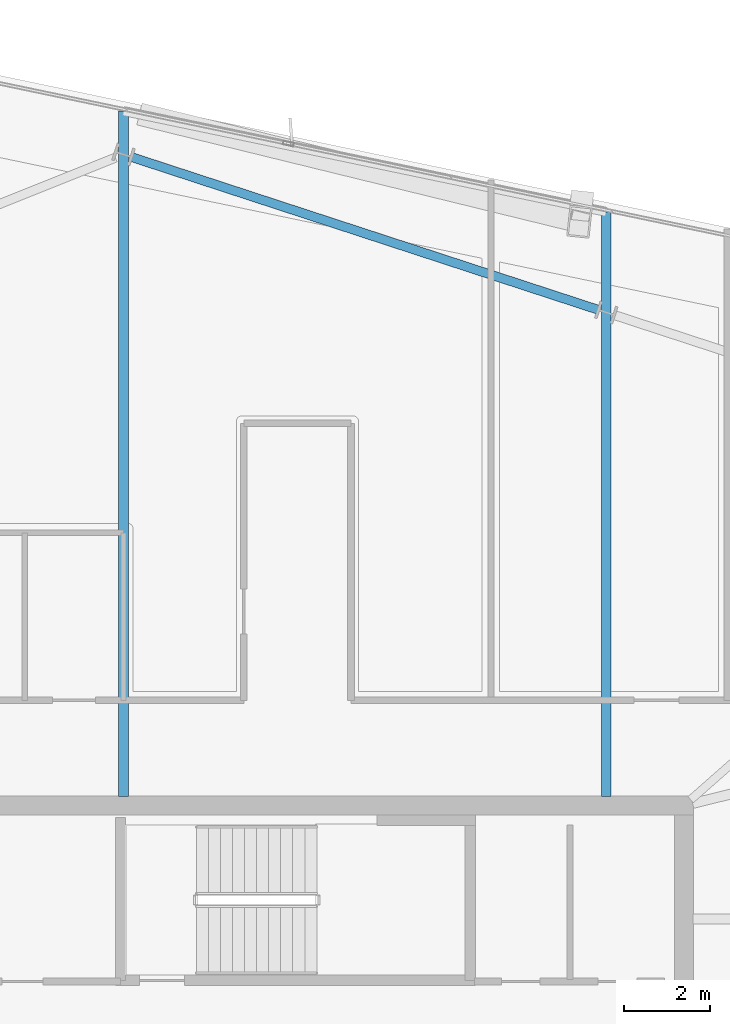
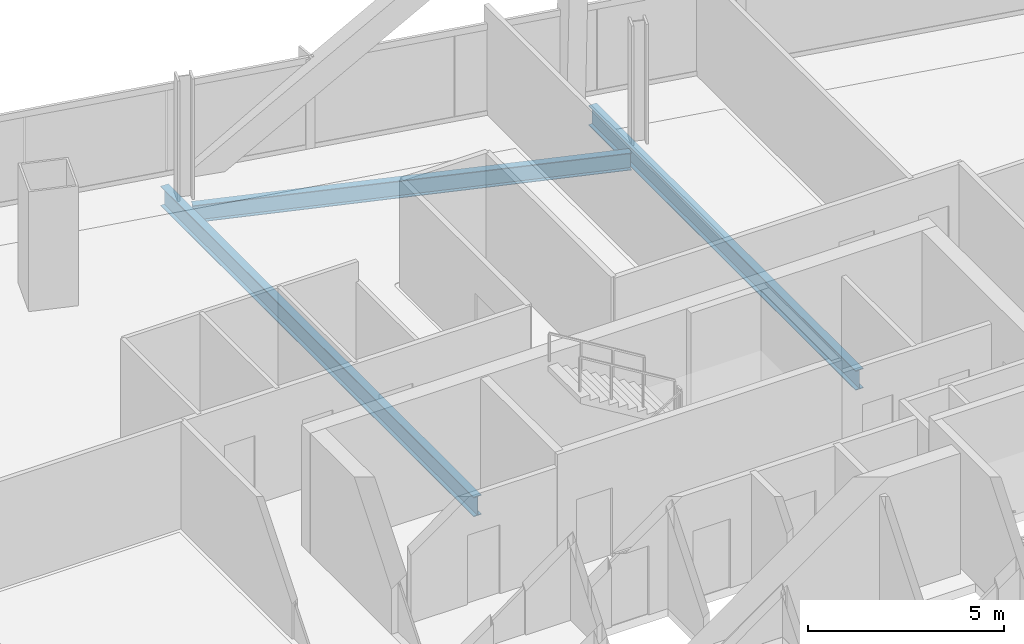
# One storey, part 12 of 24: 3 beams.
"""IFC4 building model written with IfcOpenShell, lengths in metres."""

from ifc_helpers import new_model, si_unit, direction, frame, origin, origin_2d, place, context, subcontext, project, spatial, i_section, extrude, material, material_profile, profile_set, type_object, element, save


model = new_model("IFC4")

# Units and contexts
model_context = context("Model", 3, precision=1e-05, world=origin(), true_north=direction((0.0, 1.0)))
body_context = subcontext(model_context, "Body", "Model", "MODEL_VIEW")
ifc_project = project(units=[si_unit("LENGTHUNIT", "METRE"), si_unit("AREAUNIT", "SQUARE_METRE"), si_unit("VOLUMEUNIT", "CUBIC_METRE"), si_unit("PLANEANGLEUNIT", "RADIAN"), si_unit("MASSUNIT", "GRAM", prefix="KILO")], contexts=[model_context])

# Site, building, storey
site_placement = place(None, origin())
site = spatial("IfcSite", under=ifc_project, at=site_placement, CompositionType="ELEMENT")
building_placement = place(site_placement, origin())
building = spatial("IfcBuilding", under=site, at=building_placement, Name="Haldenkirk Collegiate Tower", CompositionType="ELEMENT")
storey_placement = place(building_placement, frame((0.0, 0.0, 289.949951171875)))
storey = spatial("IfcBuildingStorey", under=building, at=storey_placement, Name="L73", CompositionType="ELEMENT", Elevation=289.949951171875)

# Beams
ifc_material = material(Name="Steel ASTM A992 Grade 50", Category="steel")
ifc_material_profile_1 = material_profile(ifc_material, i_section(OverallWidth=0.22998046875, OverallDepth=0.616943359375, WebThickness=0.01318359375, FlangeThickness=0.022216796875, at=origin_2d()), Name="W24X94")
ifc_profile_set_1 = profile_set([ifc_material_profile_1], Name="Steel ASTM A992 Grade 50")
beam_type_1 = type_object("IfcBeamType", Name="BM-GIRDER-W24X94", PredefinedType="BEAM", material=ifc_profile_set_1)
beam_1_placement = place(storey_placement, frame((43.18994140625, 47.82080078125, -0.578369140625), z_axis=(0.0, -1.0, 0.0), x_axis=(1.0, 0.0, 0.0)))
element("IfcBeam", 1, at=beam_1_placement, inside=storey, type_object=beam_type_1, Name="L73 primary floor girder 09", PredefinedType="BEAM", context=body_context, shape_type="SweptSolid", body=[
    extrude(i_section(OverallWidth=0.22998046875, OverallDepth=0.616943359375, WebThickness=0.01318359375, FlangeThickness=0.022216796875, at=origin_2d()), origin(), (0.0, 0.0, 1.0), 13.61572265625),
])
beam_2_placement = place(storey_placement, frame((31.949462890625, 50.1689453125, -0.578369140625), z_axis=(0.0, -1.0, 0.0), x_axis=(1.0, 0.0, 0.0)))
element("IfcBeam", 2, at=beam_2_placement, inside=storey, type_object=beam_type_1, Name="L73 primary floor girder 10", PredefinedType="BEAM", context=body_context, shape_type="SweptSolid", body=[
    extrude(i_section(OverallWidth=0.22998046875, OverallDepth=0.616943359375, WebThickness=0.01318359375, FlangeThickness=0.022216796875, at=origin_2d()), origin(), (0.0, 0.0, 1.0), 15.9638671875),
])
ifc_material_profile_2 = material_profile(ifc_material, i_section(OverallWidth=0.2099609375, OverallDepth=0.537109375, WebThickness=0.010986328125, FlangeThickness=0.017333984375, at=origin_2d()), Name="W21X68")
ifc_profile_set_2 = profile_set([ifc_material_profile_2], Name="Steel ASTM A992 Grade 50")
beam_type_2 = type_object("IfcBeamType", Name="BM-SPANDREL-W21X68", PredefinedType="SPANDREL", material=ifc_profile_set_2)
beam_3_placement = place(storey_placement, frame((42.99755859375, 45.54296875, -0.538330078125), z_axis=(-0.950408846531, 0.311003254701, 0.0), x_axis=(-0.311003254701, -0.950408846531, 0.0)))
element("IfcBeam", 3, at=beam_3_placement, inside=storey, type_object=beam_type_2, Name="L73 perimeter spandrel beam 07", PredefinedType="SPANDREL", context=body_context, shape_type="SweptSolid", body=[
    extrude(i_section(OverallWidth=0.2099609375, OverallDepth=0.537109375, WebThickness=0.010986328125, FlangeThickness=0.017333984375, at=origin_2d()), origin(), (0.0, 0.0, 1.0), 11.421875),
])

save(model, "model.ifc")
